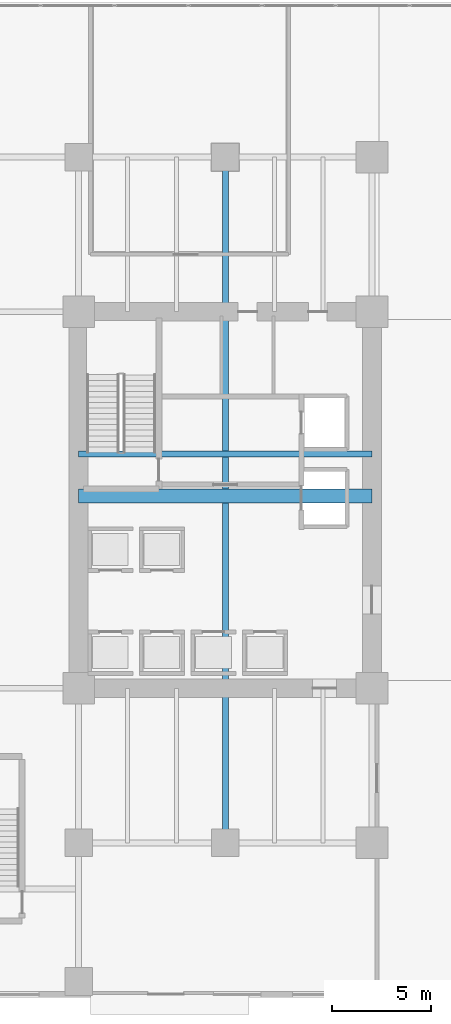
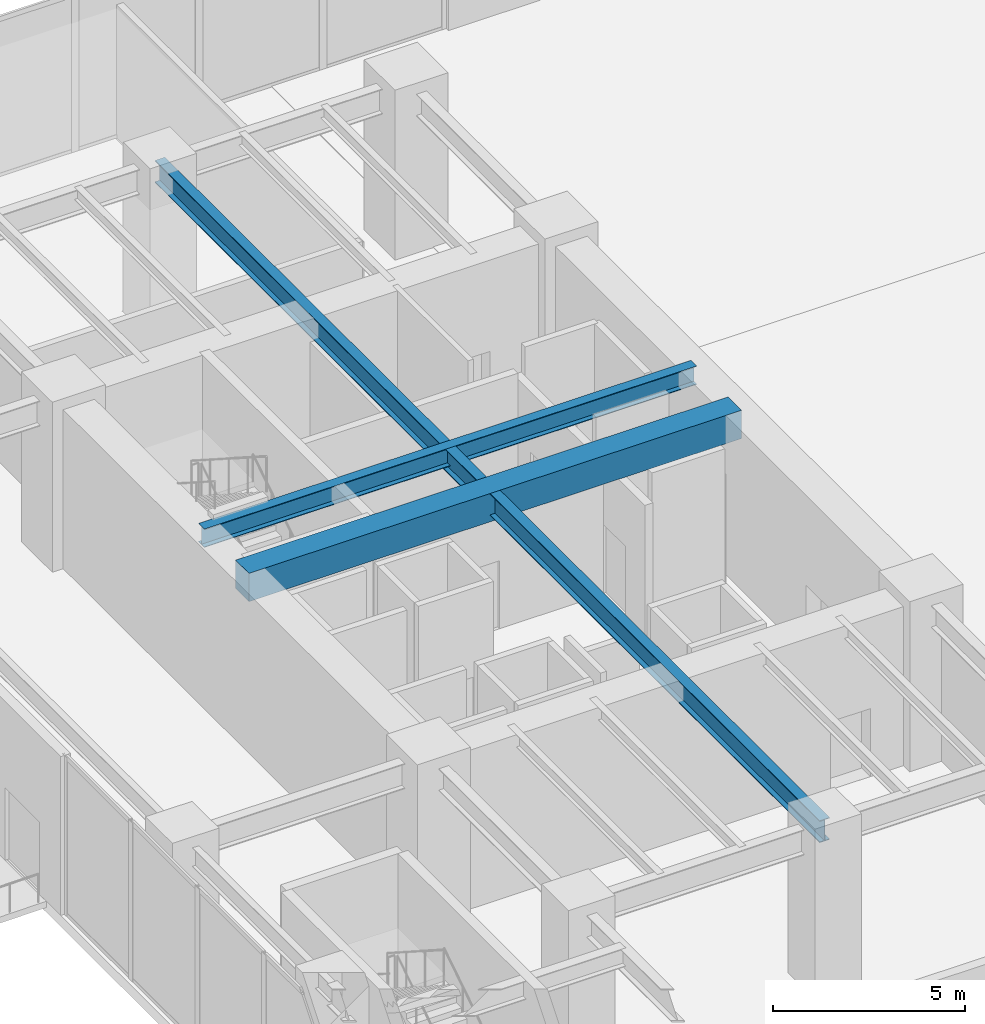
# One storey, part 6 of 28: 3 beams.
"""IFC4 building model written with IfcOpenShell, lengths in metres."""

from ifc_helpers import new_model, si_unit, direction, frame, origin, origin_2d, place, context, subcontext, project, spatial, rectangle, i_section, extrude, source, transform, mapped, material, material_profile, profile_set, type_object, type_shapes, element, save


model = new_model("IFC4")

# Units and contexts
model_context = context("Model", 3, precision=1e-05, world=origin(), true_north=direction((0.0, 1.0)))
body_context = subcontext(model_context, "Body", "Model", "MODEL_VIEW")
ifc_project = project(units=[si_unit("LENGTHUNIT", "METRE"), si_unit("AREAUNIT", "SQUARE_METRE"), si_unit("VOLUMEUNIT", "CUBIC_METRE"), si_unit("PLANEANGLEUNIT", "RADIAN"), si_unit("MASSUNIT", "GRAM", prefix="KILO")], contexts=[model_context])

# Site, building, storey
site_placement = place(None, origin())
site = spatial("IfcSite", under=ifc_project, at=site_placement, CompositionType="ELEMENT")
building_placement = place(site_placement, origin())
building = spatial("IfcBuilding", under=site, at=building_placement, Name="Haelvirn Gate Laboratories", CompositionType="ELEMENT")
storey_placement = place(building_placement, origin())
storey = spatial("IfcBuildingStorey", under=building, at=storey_placement, Name="L01", CompositionType="ELEMENT", Elevation=0.0)

# Beams
ifc_material_1 = material(Name="Concrete C60/75", Category="concrete")
ifc_material_profile_1 = material_profile(ifc_material_1, rectangle(XDim=0.699951171875, YDim=0.89990234375, at=origin_2d()), Name="RCB-700x900")
ifc_profile_set_1 = profile_set([ifc_material_profile_1], Name="Concrete C60/75")
beam_type_1 = type_object("IfcBeamType", Name="BM-RCB-900", PredefinedType="LINTEL", material=ifc_profile_set_1)
shared_shape_1 = source(origin(), body_context, "Body", "SweptSolid", [
    extrude(rectangle(XDim=0.699951171875, YDim=0.89990234375, at=origin_2d()), origin(), (0.0, 0.0, 1.0), 14.800048828125),
])
type_shapes(beam_type_1, [shared_shape_1])
beam_1_placement = place(storey_placement, frame((7.39990234375, 24.5, 4.60009765625), z_axis=(1.0, 0.0, 0.0), x_axis=(0.0, 1.0, 0.0)))
element("IfcBeam", 1, at=beam_1_placement, inside=storey, type_object=beam_type_1, Name="L01 West Core Coupling Beam", PredefinedType="LINTEL", context=body_context, shape_type="MappedRepresentation", body=[
    mapped(shared_shape_1, transform((0.0, 0.0, 0.0), scale=1.0)),
])
ifc_material_2 = material(Name="Steel SM355", Category="steel")
ifc_material_profile_2 = material_profile(ifc_material_2, i_section(OverallWidth=0.300048828125, OverallDepth=0.587890625, WebThickness=0.011962890625, FlangeThickness=0.02001953125, at=origin_2d()), Name="H-588x300x12x20")
ifc_profile_set_2 = profile_set([ifc_material_profile_2], Name="Steel SM355")
beam_type_2 = type_object("IfcBeamType", Name="BM-G-588", PredefinedType="BEAM", material=ifc_profile_set_2)
shared_shape_2 = source(origin(), body_context, "Body", "SweptSolid", [
    extrude(i_section(OverallWidth=0.300048828125, OverallDepth=0.587890625, WebThickness=0.011962890625, FlangeThickness=0.02001953125, at=origin_2d()), origin(), (0.0, 0.0, 1.0), 14.800048828125),
])
type_shapes(beam_type_2, [shared_shape_2])
beam_2_placement = place(storey_placement, frame((7.39990234375, 26.6201171875, 4.756103515625), z_axis=(1.0, 0.0, 0.0), x_axis=(0.0, 1.0, 0.0)))
element("IfcBeam", 2, at=beam_2_placement, inside=storey, type_object=beam_type_2, Name="L01 Stair ST1 Landing Header", PredefinedType="BEAM", context=body_context, shape_type="MappedRepresentation", body=[
    mapped(shared_shape_2, transform((0.0, 0.0, 0.0), scale=1.0)),
])
ifc_material_profile_3 = material_profile(ifc_material_2, i_section(OverallWidth=0.300048828125, OverallDepth=0.699951171875, WebThickness=0.012939453125, FlangeThickness=0.02392578125, at=origin_2d()), Name="H-700x300x13x24")
ifc_profile_set_3 = profile_set([ifc_material_profile_3], Name="Steel SM355")
beam_type_3 = type_object("IfcBeamType", Name="BM-G-700", PredefinedType="BEAM", material=ifc_profile_set_3)
shared_shape_3 = source(origin(), body_context, "Body", "SweptSolid", [
    extrude(i_section(OverallWidth=0.300048828125, OverallDepth=0.699951171875, WebThickness=0.012939453125, FlangeThickness=0.02392578125, at=origin_2d()), origin(), (0.0, 0.0, 1.0), 34.60009765625),
])
type_shapes(beam_type_3, [shared_shape_3])
beam_3_placement = place(storey_placement, frame((14.800048828125, 7.0, 4.699951171875), z_axis=(0.0, 1.0, 0.0), x_axis=(-1.0, 0.0, 0.0)))
element("IfcBeam", 3, at=beam_3_placement, inside=storey, type_object=beam_type_3, Name="L01 Frame Girder X14.8 (7.0-41.6)", PredefinedType="BEAM", context=body_context, shape_type="MappedRepresentation", body=[
    mapped(shared_shape_3, transform((0.0, 0.0, 0.0), scale=1.0)),
])

save(model, "model.ifc")
